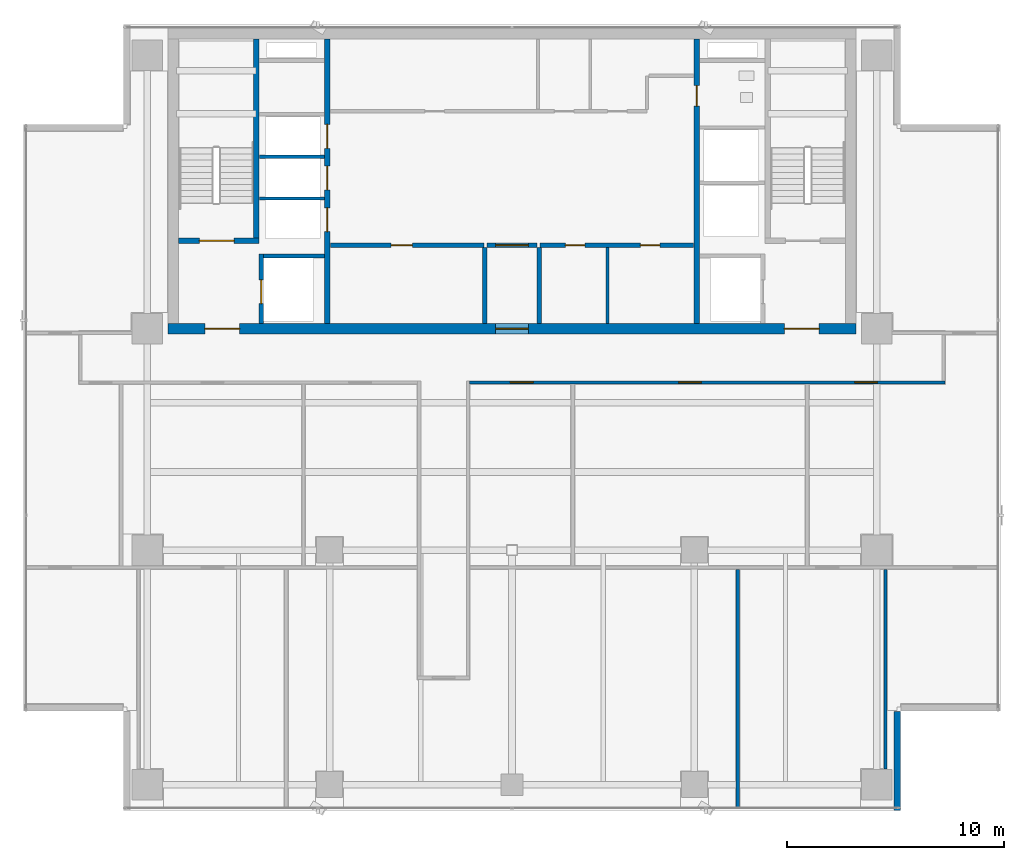
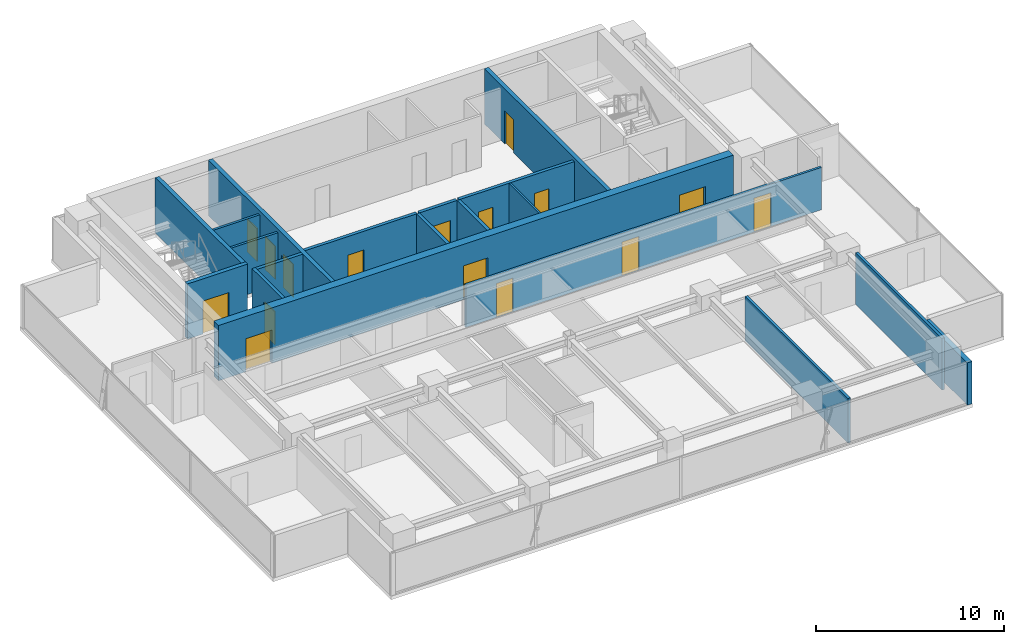
# One storey, part 20 of 26: 19 walls, 16 doors, 16 openings.
"""IFC4 building model written with IfcOpenShell, lengths in metres."""

from ifc_helpers import new_model, si_unit, direction, frame, frame_2d, origin, place, context, subcontext, project, spatial, rectangle, extrude, source, transform, mapped, material, layer, layer_set, type_object, element, fill, save


model = new_model("IFC4")

# Units and contexts
model_context = context("Model", 3, precision=1e-05, world=origin(), true_north=direction((0.0, 1.0)))
body_context = subcontext(model_context, "Body", "Model", "MODEL_VIEW")
ifc_project = project(units=[si_unit("LENGTHUNIT", "METRE"), si_unit("AREAUNIT", "SQUARE_METRE"), si_unit("VOLUMEUNIT", "CUBIC_METRE"), si_unit("PLANEANGLEUNIT", "RADIAN"), si_unit("MASSUNIT", "GRAM", prefix="KILO")], contexts=[model_context])

# Site, building, storey
site_placement = place(None, origin())
site = spatial("IfcSite", under=ifc_project, at=site_placement, CompositionType="ELEMENT")
building_placement = place(site_placement, origin())
building = spatial("IfcBuilding", under=site, at=building_placement, Name="Sumidabori Civic Tower", CompositionType="ELEMENT")
storey_placement = place(building_placement, frame((0.0, 0.0, 250.39990234375)))
storey = spatial("IfcBuildingStorey", under=building, at=storey_placement, Name="L65", CompositionType="ELEMENT", Elevation=250.39990234375)

# Wall
ifc_material_1 = material(Name="Concrete C50/60", Category="concrete")
ifc_layer_1 = layer(ifc_material_1, 0.199951171875, Name="Concrete C50/60")
ifc_layer_set_1 = layer_set([ifc_layer_1], Name="Concrete C50/60")
wall_type_1 = type_object("IfcWallType", Name="WL-SHAFT-200", PredefinedType="SHEAR", material=ifc_layer_set_1)
shared_shape_1 = source(origin(), body_context, "Body", "SweptSolid", [
    extrude(rectangle(XDim=2.824951171875, YDim=0.199951171875, at=frame_2d((1.41259765625, 0.0))), origin(), (0.0, 0.0, 1.0), 3.60009765625),
])
wall_1_placement = place(storey_placement, frame((-11.449951171875, 13.550048828125, 0.0), z_axis=(0.0, 0.0, 1.0), x_axis=(1.0, 0.0, 0.0)))
element("IfcWall", 1, at=wall_1_placement, inside=storey, type_object=wall_type_1, Name="Core Shear Wall L65 EL1-N", PredefinedType="SHEAR", context=body_context, shape_type="MappedRepresentation", body=[
    mapped(shared_shape_1, transform((0.0, 0.0, 0.0), x_axis=(1.0, 0.0, 0.0), y_axis=(0.0, 1.0, 0.0), z_axis=(0.0, 0.0, 1.0), scale=1.0)),
])

# Wall, openings, doors
ifc_layer_2 = layer(ifc_material_1, 0.5, Name="Concrete C50/60")
ifc_layer_set_2 = layer_set([ifc_layer_2], Name="Concrete C50/60")
wall_type_2 = type_object("IfcWallType", Name="WL-CORE-500", PredefinedType="SHEAR", material=ifc_layer_set_2)
shared_shape_2 = source(origin(), body_context, "Body", "SweptSolid", [
    extrude(rectangle(XDim=31.7001953125, YDim=0.5, at=frame_2d((15.85009765625, 0.0))), origin(), (0.0, 0.0, 1.0), 3.60009765625),
])
wall_2_placement = place(storey_placement, frame((-15.85009765625, 10.199951171875, 0.0), z_axis=(0.0, 0.0, 1.0), x_axis=(1.0, 0.0, 0.0)))
wall_2 = element("IfcWall", 2, at=wall_2_placement, inside=storey, type_object=wall_type_2, Name="Core Shear Wall L65 S", PredefinedType="SHEAR", context=body_context, shape_type="MappedRepresentation", body=[
    mapped(shared_shape_2, transform((0.0, 0.0, 0.0), x_axis=(1.0, 0.0, 0.0), y_axis=(0.0, 1.0, 0.0), z_axis=(0.0, 0.0, 1.0), scale=1.0)),
])
opening_1_placement = place(wall_2_placement, frame((1.699951171875, 0.0, 0.0)))
opening_1 = element("IfcOpeningElement", 3, at=opening_1_placement, cuts=wall_2, Name="Opening DR-FD4", PredefinedType="OPENING", context=body_context, shape_type="SweptSolid", body=[
    extrude(rectangle(XDim=1.60009765625, YDim=2.14990234375, at=frame_2d((0.800048828125, 1.074951171875))), frame((0.0, 0.261962890625, 0.0), z_axis=(0.0, -1.0, 0.0), x_axis=(1.0, 0.0, 0.0)), (0.0, 0.0, 1.0), 0.52392578125),
])
opening_2_placement = place(wall_2_placement, frame((28.39990234375, 0.0, 0.0)))
opening_2 = element("IfcOpeningElement", 4, at=opening_2_placement, cuts=wall_2, Name="Opening DR-FD4", PredefinedType="OPENING", context=body_context, shape_type="SweptSolid", body=[
    extrude(rectangle(XDim=1.60009765625, YDim=2.14990234375, at=frame_2d((0.800048828125, 1.074951171875))), frame((0.0, 0.261962890625, 0.0), z_axis=(0.0, -1.0, 0.0), x_axis=(1.0, 0.0, 0.0)), (0.0, 0.0, 1.0), 0.52392578125),
])
opening_3_placement = place(wall_2_placement, frame((15.10009765625, 0.0, 0.0)))
opening_3 = element("IfcOpeningElement", 5, at=opening_3_placement, cuts=wall_2, Name="Opening DR-FD3", PredefinedType="OPENING", context=body_context, shape_type="SweptSolid", body=[
    extrude(rectangle(XDim=1.5, YDim=2.199951171875, at=frame_2d((0.75, 1.10009765625))), frame((0.0, 0.261962890625, 0.0), z_axis=(0.0, -1.0, 0.0), x_axis=(1.0, 0.0, 0.0)), (0.0, 0.0, 1.0), 0.52392578125),
])
ifc_material_2 = material(Name="Steel SN490", Category="steel")
door_type_1 = type_object("IfcDoorType", Name="DR-FD4", OperationType="DOUBLE_DOOR_SINGLE_SWING", PredefinedType="DOOR", material=ifc_material_2)
shared_shape_3 = source(origin(), body_context, "Body", "SweptSolid", [
    extrude(rectangle(XDim=1.60009765625, YDim=2.14990234375, at=frame_2d((0.800048828125, 1.074951171875))), frame((0.0, 0.02490234375, 0.0), z_axis=(0.0, -1.0, 0.0), x_axis=(1.0, 0.0, 0.0)), (0.0, 0.0, 1.0), 0.050048828125),
])
door_1_placement = place(opening_1_placement, origin())
door_1 = element("IfcDoor", 6, at=door_1_placement, inside=storey, type_object=door_type_1, Name="Door DR:L65:ELOB-W", OperationType="DOUBLE_DOOR_SINGLE_SWING", OverallHeight=2.14990234375, OverallWidth=1.60009765625, PredefinedType="DOOR", context=body_context, shape_type="MappedRepresentation", body=[
    mapped(shared_shape_3, transform((0.0, 0.0, 0.0), x_axis=(1.0, 0.0, 0.0), y_axis=(0.0, 1.0, 0.0), z_axis=(0.0, 0.0, 1.0), scale=1.0)),
])
fill(opening_1, door_1)
door_2_placement = place(opening_2_placement, origin())
door_2 = element("IfcDoor", 7, at=door_2_placement, inside=storey, type_object=door_type_1, Name="Door DR:L65:ELOB-E", OperationType="DOUBLE_DOOR_SINGLE_SWING", OverallHeight=2.14990234375, OverallWidth=1.60009765625, PredefinedType="DOOR", context=body_context, shape_type="MappedRepresentation", body=[
    mapped(shared_shape_3, transform((0.0, 0.0, 0.0), x_axis=(1.0, 0.0, 0.0), y_axis=(0.0, 1.0, 0.0), z_axis=(0.0, 0.0, 1.0), scale=1.0)),
])
fill(opening_2, door_2)
door_type_2 = type_object("IfcDoorType", Name="DR-FD-DBL", OperationType="DOUBLE_DOOR_SINGLE_SWING", PredefinedType="DOOR", material=ifc_material_2)
shared_shape_4 = source(origin(), body_context, "Body", "SweptSolid", [
    extrude(rectangle(XDim=1.5, YDim=2.199951171875, at=frame_2d((0.75, 1.10009765625))), frame((0.0, 0.02490234375, 0.0), z_axis=(0.0, -1.0, 0.0), x_axis=(1.0, 0.0, 0.0)), (0.0, 0.0, 1.0), 0.050048828125),
])
door_3_placement = place(opening_3_placement, origin())
door_3 = element("IfcDoor", 8, at=door_3_placement, inside=storey, type_object=door_type_2, Name="Door DR:L65:THROAT-OUT", OperationType="DOUBLE_DOOR_SINGLE_SWING", OverallHeight=2.199951171875, OverallWidth=1.5, PredefinedType="DOOR", context=body_context, shape_type="MappedRepresentation", body=[
    mapped(shared_shape_4, transform((0.0, 0.0, 0.0), x_axis=(1.0, 0.0, 0.0), y_axis=(0.0, 1.0, 0.0), z_axis=(0.0, 0.0, 1.0), scale=1.0)),
])
fill(opening_3, door_3)

ifc_layer_3 = layer(ifc_material_1, 0.25, Name="Concrete C50/60")
ifc_layer_set_3 = layer_set([ifc_layer_3], Name="Concrete C50/60")
wall_type_3 = type_object("IfcWallType", Name="WL-SHAFT-250", PredefinedType="SHEAR", material=ifc_layer_set_3)
shared_shape_5 = source(origin(), body_context, "Body", "SweptSolid", [
    extrude(rectangle(XDim=13.10009765625, YDim=0.25, at=frame_2d((6.550048828125, 0.0))), origin(), (0.0, 0.0, 1.0), 3.60009765625),
])
wall_3_placement = place(storey_placement, frame((-8.5, 10.449951171875, 0.0), z_axis=(0.0, 0.0, 1.0), x_axis=(0.0, 1.0, 0.0)))
wall_3 = element("IfcWall", 9, at=wall_3_placement, inside=storey, type_object=wall_type_3, Name="Core Shear Wall L65 WEB-W", PredefinedType="SHEAR", context=body_context, shape_type="MappedRepresentation", body=[
    mapped(shared_shape_5, transform((0.0, 0.0, 0.0), x_axis=(1.0, 0.0, 0.0), y_axis=(0.0, 1.0, 0.0), z_axis=(0.0, 0.0, 1.0), scale=1.0)),
])
opening_4_placement = place(wall_3_placement, frame((4.219970703125, 0.0, 0.0)))
opening_4 = element("IfcOpeningElement", 10, at=opening_4_placement, cuts=wall_3, Name="Opening LD-1", PredefinedType="OPENING", context=body_context, shape_type="SweptSolid", body=[
    extrude(rectangle(XDim=1.10009765625, YDim=2.14990234375, at=frame_2d((0.550048828125, 1.074951171875))), frame((0.0, 0.136962890625, 0.0), z_axis=(0.0, -1.0, 0.0), x_axis=(1.0, 0.0, 0.0)), (0.0, 0.0, 1.0), 0.27392578125),
])
opening_5_placement = place(wall_3_placement, frame((6.139892578125, 0.0, 0.0)))
opening_5 = element("IfcOpeningElement", 11, at=opening_5_placement, cuts=wall_3, Name="Opening LD-1", PredefinedType="OPENING", context=body_context, shape_type="SweptSolid", body=[
    extrude(rectangle(XDim=1.10009765625, YDim=2.14990234375, at=frame_2d((0.550048828125, 1.074951171875))), frame((0.0, 0.136962890625, 0.0), z_axis=(0.0, -1.0, 0.0), x_axis=(1.0, 0.0, 0.0)), (0.0, 0.0, 1.0), 0.27392578125),
])
opening_6_placement = place(wall_3_placement, frame((8.06005859375, 0.0, 0.0)))
opening_6 = element("IfcOpeningElement", 12, at=opening_6_placement, cuts=wall_3, Name="Opening LD-1", PredefinedType="OPENING", context=body_context, shape_type="SweptSolid", body=[
    extrude(rectangle(XDim=1.10009765625, YDim=2.14990234375, at=frame_2d((0.550048828125, 1.074951171875))), frame((0.0, 0.136962890625, 0.0), z_axis=(0.0, -1.0, 0.0), x_axis=(1.0, 0.0, 0.0)), (0.0, 0.0, 1.0), 0.27392578125),
])
ifc_material_3 = material(Name="Stainless Steel Hairline Finish", Category="steel")
door_type_3 = type_object("IfcDoorType", Name="DR-LD1", OperationType="DOUBLE_DOOR_SLIDING", PredefinedType="DOOR", material=ifc_material_3)
shared_shape_6 = source(origin(), body_context, "Body", "SweptSolid", [
    extrude(rectangle(XDim=1.10009765625, YDim=2.14990234375, at=frame_2d((0.550048828125, 1.074951171875))), frame((0.0, 0.02490234375, 0.0), z_axis=(0.0, -1.0, 0.0), x_axis=(1.0, 0.0, 0.0)), (0.0, 0.0, 1.0), 0.050048828125),
])
door_4_placement = place(opening_4_placement, origin())
door_4 = element("IfcDoor", 13, at=door_4_placement, inside=storey, type_object=door_type_3, Name="Door DR:L65:LD-PLH1", OperationType="DOUBLE_DOOR_SLIDING", OverallHeight=2.14990234375, OverallWidth=1.10009765625, PredefinedType="DOOR", context=body_context, shape_type="MappedRepresentation", body=[
    mapped(shared_shape_6, transform((0.0, 0.0, 0.0), x_axis=(1.0, 0.0, 0.0), y_axis=(0.0, 1.0, 0.0), z_axis=(0.0, 0.0, 1.0), scale=1.0)),
])
fill(opening_4, door_4)
door_5_placement = place(opening_5_placement, origin())
door_5 = element("IfcDoor", 14, at=door_5_placement, inside=storey, type_object=door_type_3, Name="Door DR:L65:LD-PLH2", OperationType="DOUBLE_DOOR_SLIDING", OverallHeight=2.14990234375, OverallWidth=1.10009765625, PredefinedType="DOOR", context=body_context, shape_type="MappedRepresentation", body=[
    mapped(shared_shape_6, transform((0.0, 0.0, 0.0), x_axis=(1.0, 0.0, 0.0), y_axis=(0.0, 1.0, 0.0), z_axis=(0.0, 0.0, 1.0), scale=1.0)),
])
fill(opening_5, door_5)
door_6_placement = place(opening_6_placement, origin())
door_6 = element("IfcDoor", 15, at=door_6_placement, inside=storey, type_object=door_type_3, Name="Door DR:L65:LD-PLH3", OperationType="DOUBLE_DOOR_SLIDING", OverallHeight=2.14990234375, OverallWidth=1.10009765625, PredefinedType="DOOR", context=body_context, shape_type="MappedRepresentation", body=[
    mapped(shared_shape_6, transform((0.0, 0.0, 0.0), x_axis=(1.0, 0.0, 0.0), y_axis=(0.0, 1.0, 0.0), z_axis=(0.0, 0.0, 1.0), scale=1.0)),
])
fill(opening_6, door_6)

# Wall, opening, door
wall_4_placement = place(storey_placement, frame((8.5, 10.449951171875, 0.0), z_axis=(0.0, 0.0, 1.0), x_axis=(0.0, 1.0, 0.0)))
wall_4 = element("IfcWall", 16, at=wall_4_placement, inside=storey, type_object=wall_type_3, Name="Core Shear Wall L65 WEB-E", PredefinedType="SHEAR", context=body_context, shape_type="MappedRepresentation", body=[
    mapped(shared_shape_5, transform((0.0, 0.0, 0.0), x_axis=(1.0, 0.0, 0.0), y_axis=(0.0, 1.0, 0.0), z_axis=(0.0, 0.0, 1.0), scale=1.0)),
])
opening_7_placement = place(wall_4_placement, frame((10.0, 0.0, 0.0)))
opening_7 = element("IfcOpeningElement", 17, at=opening_7_placement, cuts=wall_4, Name="Opening DR-2", PredefinedType="OPENING", context=body_context, shape_type="SweptSolid", body=[
    extrude(rectangle(XDim=0.949951171875, YDim=2.14990234375, at=frame_2d((0.47509765625, 1.074951171875))), frame((0.0, 0.136962890625, 0.0), z_axis=(0.0, -1.0, 0.0), x_axis=(1.0, 0.0, 0.0)), (0.0, 0.0, 1.0), 0.27392578125),
])
ifc_material_4 = material(Name="Japanese Hinoki Timber", Category="wood")
door_type_4 = type_object("IfcDoorType", Name="DR-INT-950", OperationType="NOTDEFINED", PredefinedType="DOOR", material=ifc_material_4)
shared_shape_7 = source(origin(), body_context, "Body", "SweptSolid", [
    extrude(rectangle(XDim=0.949951171875, YDim=2.14990234375, at=frame_2d((0.47509765625, 1.074951171875))), frame((0.0, 0.02490234375, 0.0), z_axis=(0.0, -1.0, 0.0), x_axis=(1.0, 0.0, 0.0)), (0.0, 0.0, 1.0), 0.050048828125),
])
door_7_placement = place(opening_7_placement, origin())
door_7 = element("IfcDoor", 18, at=door_7_placement, inside=storey, type_object=door_type_4, Name="Door DR:L65:WC-ACC", OperationType="SINGLE_SWING_RIGHT", OverallHeight=2.14990234375, OverallWidth=0.949951171875, PredefinedType="DOOR", context=body_context, shape_type="MappedRepresentation", body=[
    mapped(shared_shape_7, transform((0.0, 0.0, 0.0), x_axis=(1.0, 0.0, 0.0), y_axis=(0.0, 1.0, 0.0), z_axis=(0.0, 0.0, 1.0), scale=1.0)),
])
fill(opening_7, door_7)

shared_shape_8 = source(origin(), body_context, "Body", "SweptSolid", [
    extrude(rectangle(XDim=3.705078125, YDim=0.25, at=frame_2d((1.8525390625, 0.0))), origin(), (0.0, 0.0, 1.0), 3.60009765625),
])
wall_5_placement = place(storey_placement, frame((-15.35009765625, 14.25, 0.0), z_axis=(0.0, 0.0, 1.0), x_axis=(1.0, 0.0, 0.0)))
wall_5 = element("IfcWall", 19, at=wall_5_placement, inside=storey, type_object=wall_type_3, Name="Core Shear Wall L65 ST1-S", PredefinedType="SHEAR", context=body_context, shape_type="MappedRepresentation", body=[
    mapped(shared_shape_8, transform((0.0, 0.0, 0.0), x_axis=(1.0, 0.0, 0.0), y_axis=(0.0, 1.0, 0.0), z_axis=(0.0, 0.0, 1.0), scale=1.0)),
])
opening_8_placement = place(wall_5_placement, frame((0.949951171875, 0.0, 0.0)))
opening_8 = element("IfcOpeningElement", 20, at=opening_8_placement, cuts=wall_5, Name="Opening DR-FD4", PredefinedType="OPENING", context=body_context, shape_type="SweptSolid", body=[
    extrude(rectangle(XDim=1.60009765625, YDim=2.14990234375, at=frame_2d((0.800048828125, 1.074951171875))), frame((0.0, 0.136962890625, 0.0), z_axis=(0.0, -1.0, 0.0), x_axis=(1.0, 0.0, 0.0)), (0.0, 0.0, 1.0), 0.27392578125),
])
door_8_placement = place(opening_8_placement, origin())
door_8 = element("IfcDoor", 21, at=door_8_placement, inside=storey, type_object=door_type_1, Name="Door DR:L65:ST1", OperationType="DOUBLE_DOOR_SINGLE_SWING", OverallHeight=2.14990234375, OverallWidth=1.60009765625, PredefinedType="DOOR", context=body_context, shape_type="MappedRepresentation", body=[
    mapped(shared_shape_3, transform((0.0, 0.0, 0.0), x_axis=(1.0, 0.0, 0.0), y_axis=(0.0, 1.0, 0.0), z_axis=(0.0, 0.0, 1.0), scale=1.0)),
])
fill(opening_8, door_8)

# Wall
shared_shape_9 = source(origin(), body_context, "Body", "SweptSolid", [
    extrude(rectangle(XDim=9.175048828125, YDim=0.25, at=frame_2d((4.58740234375, 0.0))), origin(), (0.0, 0.0, 1.0), 3.60009765625),
])
wall_6_placement = place(storey_placement, frame((-11.77001953125, 14.375, 0.0), z_axis=(0.0, 0.0, 1.0), x_axis=(0.0, 1.0, 0.0)))
element("IfcWall", 22, at=wall_6_placement, inside=storey, type_object=wall_type_3, Name="Core Shear Wall L65 ST1-E", PredefinedType="SHEAR", context=body_context, shape_type="MappedRepresentation", body=[
    mapped(shared_shape_9, transform((0.0, 0.0, 0.0), x_axis=(1.0, 0.0, 0.0), y_axis=(0.0, 1.0, 0.0), z_axis=(0.0, 0.0, 1.0), scale=1.0)),
])

# Wall, opening, door
shared_shape_10 = source(origin(), body_context, "Body", "SweptSolid", [
    extrude(rectangle(XDim=3.199951171875, YDim=0.199951171875, at=frame_2d((1.60009765625, 0.0))), origin(), (0.0, 0.0, 1.0), 3.60009765625),
])
wall_7_placement = place(storey_placement, frame((-11.550048828125, 10.449951171875, 0.0), z_axis=(0.0, 0.0, 1.0), x_axis=(0.0, 1.0, 0.0)))
wall_7 = element("IfcWall", 23, at=wall_7_placement, inside=storey, type_object=wall_type_1, Name="Core Shear Wall L65 EL1-W", PredefinedType="SHEAR", context=body_context, shape_type="MappedRepresentation", body=[
    mapped(shared_shape_10, transform((0.0, 0.0, 0.0), x_axis=(1.0, 0.0, 0.0), y_axis=(0.0, 1.0, 0.0), z_axis=(0.0, 0.0, 1.0), scale=1.0)),
])
opening_9_placement = place(wall_7_placement, frame((0.89990234375, 0.0, 0.0)))
opening_9 = element("IfcOpeningElement", 24, at=opening_9_placement, cuts=wall_7, Name="Opening LD-2", PredefinedType="OPENING", context=body_context, shape_type="SweptSolid", body=[
    extrude(rectangle(XDim=1.10009765625, YDim=2.14990234375, at=frame_2d((0.550048828125, 1.074951171875))), frame((0.0, 0.11181640625, 0.0), z_axis=(0.0, -1.0, 0.0), x_axis=(1.0, 0.0, 0.0)), (0.0, 0.0, 1.0), 0.223876953125),
])
door_type_5 = type_object("IfcDoorType", Name="DR-LD2", OperationType="DOUBLE_DOOR_SLIDING", PredefinedType="DOOR", material=ifc_material_3)
door_9_placement = place(opening_9_placement, origin())
door_9 = element("IfcDoor", 25, at=door_9_placement, inside=storey, type_object=door_type_5, Name="Door DR:L65:LD-EL1", OperationType="DOUBLE_DOOR_SLIDING", OverallHeight=2.14990234375, OverallWidth=1.10009765625, PredefinedType="DOOR", context=body_context, shape_type="MappedRepresentation", body=[
    mapped(shared_shape_6, transform((0.0, 0.0, 0.0), x_axis=(1.0, 0.0, 0.0), y_axis=(0.0, 1.0, 0.0), z_axis=(0.0, 0.0, 1.0), scale=1.0)),
])
fill(opening_9, door_9)

# Walls
ifc_material_5 = material(Name="Precast concrete C40/50", Category="concrete")
ifc_layer_4 = layer(ifc_material_5, 0.300048828125, Name="Precast concrete C40/50")
ifc_layer_set_4 = layer_set([ifc_layer_4], Name="Precast concrete C40/50")
wall_type_4 = type_object("IfcWallType", Name="WL-EXT-POD300", PredefinedType="STANDARD", material=ifc_layer_set_4)
shared_shape_11 = source(origin(), body_context, "Body", "SweptSolid", [
    extrude(rectangle(XDim=4.56005859375, YDim=0.300048828125, at=frame_2d((2.280029296875, 0.0))), origin(), (0.0, 0.0, 1.0), 2.75),
])
wall_8_placement = place(storey_placement, frame((17.75, -11.97998046875, 0.0), z_axis=(0.0, 0.0, 1.0), x_axis=(0.0, 1.0, 0.0)))
element("IfcWall", 26, at=wall_8_placement, inside=storey, type_object=wall_type_4, Name="Notched Corner Spandrel Band L65-02", PredefinedType="STANDARD", context=body_context, shape_type="MappedRepresentation", body=[
    mapped(shared_shape_11, transform((0.0, 0.0, 0.0), x_axis=(1.0, 0.0, 0.0), y_axis=(0.0, 1.0, 0.0), z_axis=(0.0, 0.0, 1.0), scale=1.0)),
])
ifc_material_6 = material(Name="Gypsum Plasterboard Acoustic Partition")
ifc_layer_5 = layer(ifc_material_6, 0.14990234375, Name="Gypsum Plasterboard Acoustic Partition")
ifc_layer_set_5 = layer_set([ifc_layer_5], Name="Gypsum Plasterboard Acoustic Partition")
wall_type_5 = type_object("IfcWallType", Name="WL-PART-150", PredefinedType="PARTITIONING", material=ifc_layer_set_5)
shared_shape_12 = source(origin(), body_context, "Body", "SweptSolid", [
    extrude(rectangle(XDim=3.010009765625, YDim=0.14990234375, at=frame_2d((1.5048828125, 0.0))), origin(), (0.0, 0.0, 1.0), 3.3701171875),
])
for number, where, z_axis, x_axis, name in (
    (27, (-11.639892578125, 16.199951171875, 0.0), (0.0, 0.0, 1.0), (1.0, 0.0, 0.0), "Interior Partition WL:L65:DIV-PLH1"),
    (28, (-11.639892578125, 18.1201171875, 0.0), (0.0, 0.0, 1.0), (1.0, 0.0, 0.0), "Interior Partition WL:L65:DIV-PLH2"),
):
    element("IfcWall", number, at=place(storey_placement, frame(where, z_axis=z_axis, x_axis=x_axis)), inside=storey, type_object=wall_type_5, Name=name, PredefinedType="PARTITIONING", context=body_context, shape_type="MappedRepresentation", body=[
        mapped(shared_shape_12, transform((0.0, 0.0, 0.0), x_axis=(1.0, 0.0, 0.0), y_axis=(0.0, 1.0, 0.0), z_axis=(0.0, 0.0, 1.0), scale=1.0)),
    ])

# Wall, opening, door
ifc_material_7 = material(Name="Gypsum Plasterboard Fire Partition")
ifc_layer_6 = layer(ifc_material_7, 0.199951171875, Name="Gypsum Plasterboard Fire Partition")
ifc_layer_set_6 = layer_set([ifc_layer_6], Name="Gypsum Plasterboard Fire Partition")
wall_type_6 = type_object("IfcWallType", Name="WL-PART-FIRE", PredefinedType="PARTITIONING", material=ifc_layer_set_6)
shared_shape_13 = source(origin(), body_context, "Body", "SweptSolid", [
    extrude(rectangle(XDim=7.070068359375, YDim=0.199951171875, at=frame_2d((3.53515625, 0.0))), origin(), (0.0, 0.0, 1.0), 3.3701171875),
])
wall_9_placement = place(storey_placement, frame((-8.3701171875, 14.050048828125, 0.0), z_axis=(0.0, 0.0, 1.0), x_axis=(1.0, 0.0, 0.0)))
wall_9 = element("IfcWall", 29, at=wall_9_placement, inside=storey, type_object=wall_type_6, Name="Interior Partition WL:L65:CBAND-SW", PredefinedType="PARTITIONING", context=body_context, shape_type="MappedRepresentation", body=[
    mapped(shared_shape_13, transform((0.0, 0.0, 0.0), x_axis=(1.0, 0.0, 0.0), y_axis=(0.0, 1.0, 0.0), z_axis=(0.0, 0.0, 1.0), scale=1.0)),
])
opening_10_placement = place(wall_9_placement, frame((2.800048828125, 0.0, 0.0)))
opening_10 = element("IfcOpeningElement", 30, at=opening_10_placement, cuts=wall_9, Name="Opening DR-3", PredefinedType="OPENING", context=body_context, shape_type="SweptSolid", body=[
    extrude(rectangle(XDim=0.97998046875, YDim=2.14990234375, at=frame_2d((0.489990234375, 1.074951171875))), frame((0.0, 0.11181640625, 0.0), z_axis=(0.0, -1.0, 0.0), x_axis=(1.0, 0.0, 0.0)), (0.0, 0.0, 1.0), 0.223876953125),
])
door_type_6 = type_object("IfcDoorType", Name="DR-INT-980", OperationType="NOTDEFINED", PredefinedType="DOOR", material=ifc_material_4)
shared_shape_14 = source(origin(), body_context, "Body", "SweptSolid", [
    extrude(rectangle(XDim=0.97998046875, YDim=2.14990234375, at=frame_2d((0.489990234375, 1.074951171875))), frame((0.0, 0.02490234375, 0.0), z_axis=(0.0, -1.0, 0.0), x_axis=(1.0, 0.0, 0.0)), (0.0, 0.0, 1.0), 0.050048828125),
])
door_10_placement = place(opening_10_placement, origin())
door_10 = element("IfcDoor", 31, at=door_10_placement, inside=storey, type_object=door_type_6, Name="Door DR:L65:REC-B1", OperationType="SINGLE_SWING_LEFT", OverallHeight=2.14990234375, OverallWidth=0.97998046875, PredefinedType="DOOR", context=body_context, shape_type="MappedRepresentation", body=[
    mapped(shared_shape_14, transform((0.0, 0.0, 0.0), x_axis=(1.0, 0.0, 0.0), y_axis=(0.0, 1.0, 0.0), z_axis=(0.0, 0.0, 1.0), scale=1.0)),
])
fill(opening_10, door_10)

# Wall, openings, doors
wall_10_placement = place(storey_placement, frame((1.300048828125, 14.050048828125, 0.0), z_axis=(0.0, 0.0, 1.0), x_axis=(1.0, 0.0, 0.0)))
wall_10 = element("IfcWall", 32, at=wall_10_placement, inside=storey, type_object=wall_type_6, Name="Interior Partition WL:L65:CBAND-SE", PredefinedType="PARTITIONING", context=body_context, shape_type="MappedRepresentation", body=[
    mapped(shared_shape_13, transform((0.0, 0.0, 0.0), x_axis=(1.0, 0.0, 0.0), y_axis=(0.0, 1.0, 0.0), z_axis=(0.0, 0.0, 1.0), scale=1.0)),
])
opening_11_placement = place(wall_10_placement, frame((1.159912109375, 0.0, 0.0)))
opening_11 = element("IfcOpeningElement", 33, at=opening_11_placement, cuts=wall_10, Name="Opening DR-1", PredefinedType="OPENING", context=body_context, shape_type="SweptSolid", body=[
    extrude(rectangle(XDim=0.89990234375, YDim=2.14990234375, at=frame_2d((0.449951171875, 1.074951171875))), frame((0.0, 0.11181640625, 0.0), z_axis=(0.0, -1.0, 0.0), x_axis=(1.0, 0.0, 0.0)), (0.0, 0.0, 1.0), 0.223876953125),
])
opening_12_placement = place(wall_10_placement, frame((4.610107421875, 0.0, 0.0)))
opening_12 = element("IfcOpeningElement", 34, at=opening_12_placement, cuts=wall_10, Name="Opening DR-1", PredefinedType="OPENING", context=body_context, shape_type="SweptSolid", body=[
    extrude(rectangle(XDim=0.89990234375, YDim=2.14990234375, at=frame_2d((0.449951171875, 1.074951171875))), frame((0.0, 0.11181640625, 0.0), z_axis=(0.0, -1.0, 0.0), x_axis=(1.0, 0.0, 0.0)), (0.0, 0.0, 1.0), 0.223876953125),
])
door_type_7 = type_object("IfcDoorType", Name="DR-INT-900", OperationType="NOTDEFINED", PredefinedType="DOOR", material=ifc_material_4)
shared_shape_15 = source(origin(), body_context, "Body", "SweptSolid", [
    extrude(rectangle(XDim=0.89990234375, YDim=2.14990234375, at=frame_2d((0.449951171875, 1.074951171875))), frame((0.0, 0.02490234375, 0.0), z_axis=(0.0, -1.0, 0.0), x_axis=(1.0, 0.0, 0.0)), (0.0, 0.0, 1.0), 0.050048828125),
])
door_11_placement = place(opening_11_placement, origin())
door_11 = element("IfcDoor", 35, at=door_11_placement, inside=storey, type_object=door_type_7, Name="Door DR:L65:REC-B2A", OperationType="SINGLE_SWING_LEFT", OverallHeight=2.14990234375, OverallWidth=0.89990234375, PredefinedType="DOOR", context=body_context, shape_type="MappedRepresentation", body=[
    mapped(shared_shape_15, transform((0.0, 0.0, 0.0), x_axis=(1.0, 0.0, 0.0), y_axis=(0.0, 1.0, 0.0), z_axis=(0.0, 0.0, 1.0), scale=1.0)),
])
fill(opening_11, door_11)
door_12_placement = place(opening_12_placement, origin())
door_12 = element("IfcDoor", 36, at=door_12_placement, inside=storey, type_object=door_type_7, Name="Door DR:L65:REC-B2B", OperationType="SINGLE_SWING_RIGHT", OverallHeight=2.14990234375, OverallWidth=0.89990234375, PredefinedType="DOOR", context=body_context, shape_type="MappedRepresentation", body=[
    mapped(shared_shape_15, transform((0.0, 0.0, 0.0), x_axis=(1.0, 0.0, 0.0), y_axis=(0.0, 1.0, 0.0), z_axis=(0.0, 0.0, 1.0), scale=1.0)),
])
fill(opening_12, door_12)

# Walls
shared_shape_16 = source(origin(), body_context, "Body", "SweptSolid", [
    extrude(rectangle(XDim=3.489990234375, YDim=0.199951171875, at=frame_2d((1.7451171875, 0.0))), origin(), (0.0, 0.0, 1.0), 3.3701171875),
])
for number, where, z_axis, x_axis, name in (
    (37, (-1.25, 10.449951171875, 0.0), (0.0, 0.0, 1.0), (0.0, 1.0, 0.0), "Interior Partition WL:L65:THROAT-W"),
    (38, (1.25, 10.449951171875, 0.0), (0.0, 0.0, 1.0), (0.0, 1.0, 0.0), "Interior Partition WL:L65:THROAT-E"),
):
    element("IfcWall", number, at=place(storey_placement, frame(where, z_axis=z_axis, x_axis=x_axis)), inside=storey, type_object=wall_type_6, Name=name, PredefinedType="PARTITIONING", context=body_context, shape_type="MappedRepresentation", body=[
        mapped(shared_shape_16, transform((0.0, 0.0, 0.0), x_axis=(1.0, 0.0, 0.0), y_axis=(0.0, 1.0, 0.0), z_axis=(0.0, 0.0, 1.0), scale=1.0)),
    ])

# Wall, opening, door
shared_shape_17 = source(origin(), body_context, "Body", "SweptSolid", [
    extrude(rectangle(XDim=2.2998046875, YDim=0.199951171875, at=frame_2d((1.14990234375, 0.0))), origin(), (0.0, 0.0, 1.0), 3.3701171875),
])
wall_11_placement = place(storey_placement, frame((-1.14990234375, 14.050048828125, 0.0), z_axis=(0.0, 0.0, 1.0), x_axis=(1.0, 0.0, 0.0)))
wall_11 = element("IfcWall", 39, at=wall_11_placement, inside=storey, type_object=wall_type_6, Name="Interior Partition WL:L65:THROAT-N", PredefinedType="PARTITIONING", context=body_context, shape_type="MappedRepresentation", body=[
    mapped(shared_shape_17, transform((0.0, 0.0, 0.0), x_axis=(1.0, 0.0, 0.0), y_axis=(0.0, 1.0, 0.0), z_axis=(0.0, 0.0, 1.0), scale=1.0)),
])
opening_13_placement = place(wall_11_placement, frame((0.39990234375, 0.0, 0.0)))
opening_13 = element("IfcOpeningElement", 40, at=opening_13_placement, cuts=wall_11, Name="Opening DR-FD3", PredefinedType="OPENING", context=body_context, shape_type="SweptSolid", body=[
    extrude(rectangle(XDim=1.5, YDim=2.199951171875, at=frame_2d((0.75, 1.10009765625))), frame((0.0, 0.11181640625, 0.0), z_axis=(0.0, -1.0, 0.0), x_axis=(1.0, 0.0, 0.0)), (0.0, 0.0, 1.0), 0.223876953125),
])
door_13_placement = place(opening_13_placement, origin())
door_13 = element("IfcDoor", 41, at=door_13_placement, inside=storey, type_object=door_type_2, Name="Door DR:L65:THROAT-IN", OperationType="DOUBLE_DOOR_SINGLE_SWING", OverallHeight=2.199951171875, OverallWidth=1.5, PredefinedType="DOOR", context=body_context, shape_type="MappedRepresentation", body=[
    mapped(shared_shape_4, transform((0.0, 0.0, 0.0), x_axis=(1.0, 0.0, 0.0), y_axis=(0.0, 1.0, 0.0), z_axis=(0.0, 0.0, 1.0), scale=1.0)),
])
fill(opening_13, door_13)

# Wall
ifc_layer_7 = layer(ifc_material_6, 0.1201171875, Name="Gypsum Plasterboard Acoustic Partition")
ifc_layer_set_7 = layer_set([ifc_layer_7], Name="Gypsum Plasterboard Acoustic Partition")
wall_type_7 = type_object("IfcWallType", Name="WL-PART-120", PredefinedType="PARTITIONING", material=ifc_layer_set_7)
shared_shape_18 = source(origin(), body_context, "Body", "SweptSolid", [
    extrude(rectangle(XDim=3.489990234375, YDim=0.1201171875, at=frame_2d((1.7451171875, 0.0))), origin(), (0.0, 0.0, 1.0), 3.3701171875),
])
wall_12_placement = place(storey_placement, frame((4.39990234375, 10.449951171875, 0.0), z_axis=(0.0, 0.0, 1.0), x_axis=(0.0, 1.0, 0.0)))
element("IfcWall", 42, at=wall_12_placement, inside=storey, type_object=wall_type_7, Name="Interior Partition WL:L65:REC-B2-SP", PredefinedType="PARTITIONING", context=body_context, shape_type="MappedRepresentation", body=[
    mapped(shared_shape_18, transform((0.0, 0.0, 0.0), x_axis=(1.0, 0.0, 0.0), y_axis=(0.0, 1.0, 0.0), z_axis=(0.0, 0.0, 1.0), scale=1.0)),
])

# Wall, openings, doors
shared_shape_19 = source(origin(), body_context, "Body", "SweptSolid", [
    extrude(rectangle(XDim=21.89990234375, YDim=0.14990234375, at=frame_2d((10.949951171875, 0.0))), origin(), (0.0, 0.0, 1.0), 2.755126953125),
])
wall_13_placement = place(storey_placement, frame((-1.949951171875, 7.72509765625, 0.0), z_axis=(0.0, 0.0, 1.0), x_axis=(1.0, 0.0, 0.0)))
wall_13 = element("IfcWall", 43, at=wall_13_placement, inside=storey, type_object=wall_type_5, Name="Interior Partition WL:L65:CORR-SE", PredefinedType="PARTITIONING", context=body_context, shape_type="MappedRepresentation", body=[
    mapped(shared_shape_19, transform((0.0, 0.0, 0.0), x_axis=(1.0, 0.0, 0.0), y_axis=(0.0, 1.0, 0.0), z_axis=(0.0, 0.0, 1.0), scale=1.0)),
])
opening_14_placement = place(wall_13_placement, frame((17.742431640625, 0.0, 0.0)))
opening_14 = element("IfcOpeningElement", 44, at=opening_14_placement, cuts=wall_13, Name="Opening DR-4", PredefinedType="OPENING", context=body_context, shape_type="SweptSolid", body=[
    extrude(rectangle(XDim=1.0400390625, YDim=2.199951171875, at=frame_2d((0.52001953125, 1.10009765625))), frame((0.0, 0.0869140625, 0.0), z_axis=(0.0, -1.0, 0.0), x_axis=(1.0, 0.0, 0.0)), (0.0, 0.0, 1.0), 0.173828125),
])
opening_15_placement = place(wall_13_placement, frame((1.87744140625, 0.0, 0.0)))
opening_15 = element("IfcOpeningElement", 45, at=opening_15_placement, cuts=wall_13, Name="Opening DR-4", PredefinedType="OPENING", context=body_context, shape_type="SweptSolid", body=[
    extrude(rectangle(XDim=1.0400390625, YDim=2.199951171875, at=frame_2d((0.52001953125, 1.10009765625))), frame((0.0, 0.0869140625, 0.0), z_axis=(0.0, -1.0, 0.0), x_axis=(1.0, 0.0, 0.0)), (0.0, 0.0, 1.0), 0.173828125),
])
opening_16_placement = place(wall_13_placement, frame((9.6298828125, 0.0, 0.0)))
opening_16 = element("IfcOpeningElement", 46, at=opening_16_placement, cuts=wall_13, Name="Opening DR-4", PredefinedType="OPENING", context=body_context, shape_type="SweptSolid", body=[
    extrude(rectangle(XDim=1.0400390625, YDim=2.199951171875, at=frame_2d((0.52001953125, 1.10009765625))), frame((0.0, 0.0869140625, 0.0), z_axis=(0.0, -1.0, 0.0), x_axis=(1.0, 0.0, 0.0)), (0.0, 0.0, 1.0), 0.173828125),
])
door_type_8 = type_object("IfcDoorType", Name="DR-INT-1040", OperationType="NOTDEFINED", PredefinedType="DOOR", material=ifc_material_4)
shared_shape_20 = source(origin(), body_context, "Body", "SweptSolid", [
    extrude(rectangle(XDim=1.0400390625, YDim=2.199951171875, at=frame_2d((0.52001953125, 1.10009765625))), frame((0.0, 0.02490234375, 0.0), z_axis=(0.0, -1.0, 0.0), x_axis=(1.0, 0.0, 0.0)), (0.0, 0.0, 1.0), 0.050048828125),
])
door_14_placement = place(opening_14_placement, origin())
door_14 = element("IfcDoor", 47, at=door_14_placement, inside=storey, type_object=door_type_8, Name="Door DR:L65:D02", OperationType="SINGLE_SWING_RIGHT", OverallHeight=2.199951171875, OverallWidth=1.0400390625, PredefinedType="DOOR", context=body_context, shape_type="MappedRepresentation", body=[
    mapped(shared_shape_20, transform((0.0, 0.0, 0.0), x_axis=(1.0, 0.0, 0.0), y_axis=(0.0, 1.0, 0.0), z_axis=(0.0, 0.0, 1.0), scale=1.0)),
])
fill(opening_14, door_14)
door_15_placement = place(opening_15_placement, origin())
door_15 = element("IfcDoor", 48, at=door_15_placement, inside=storey, type_object=door_type_8, Name="Door DR:L65:D05", OperationType="SINGLE_SWING_LEFT", OverallHeight=2.199951171875, OverallWidth=1.0400390625, PredefinedType="DOOR", context=body_context, shape_type="MappedRepresentation", body=[
    mapped(shared_shape_20, transform((0.0, 0.0, 0.0), x_axis=(1.0, 0.0, 0.0), y_axis=(0.0, 1.0, 0.0), z_axis=(0.0, 0.0, 1.0), scale=1.0)),
])
fill(opening_15, door_15)
door_16_placement = place(opening_16_placement, origin())
door_16 = element("IfcDoor", 49, at=door_16_placement, inside=storey, type_object=door_type_8, Name="Door DR:L65:D06", OperationType="SINGLE_SWING_RIGHT", OverallHeight=2.199951171875, OverallWidth=1.0400390625, PredefinedType="DOOR", context=body_context, shape_type="MappedRepresentation", body=[
    mapped(shared_shape_20, transform((0.0, 0.0, 0.0), x_axis=(1.0, 0.0, 0.0), y_axis=(0.0, 1.0, 0.0), z_axis=(0.0, 0.0, 1.0), scale=1.0)),
])
fill(opening_16, door_16)

# Walls
shared_shape_21 = source(origin(), body_context, "Body", "SweptSolid", [
    extrude(rectangle(XDim=9.210205078125, YDim=0.14990234375, at=frame_2d((4.60498046875, 0.0))), origin(), (0.0, 0.0, 1.0), 3.3701171875),
])
wall_14_placement = place(storey_placement, frame((17.199951171875, -10.090087890625, 0.0), z_axis=(0.0, 0.0, 1.0), x_axis=(0.0, 1.0, 0.0)))
element("IfcWall", 50, at=wall_14_placement, inside=storey, type_object=wall_type_5, Name="Interior Partition WL:L65:VX-S4", PredefinedType="PARTITIONING", context=body_context, shape_type="MappedRepresentation", body=[
    mapped(shared_shape_21, transform((0.0, 0.0, 0.0), x_axis=(1.0, 0.0, 0.0), y_axis=(0.0, 1.0, 0.0), z_axis=(0.0, 0.0, 1.0), scale=1.0)),
])
shared_shape_22 = source(origin(), body_context, "Body", "SweptSolid", [
    extrude(rectangle(XDim=10.97021484375, YDim=0.14990234375, at=frame_2d((5.485107421875, 0.0))), origin(), (0.0, 0.0, 1.0), 2.905029296875),
])
wall_15_placement = place(storey_placement, frame((10.39990234375, -11.85009765625, 0.0), z_axis=(0.0, 0.0, 1.0), x_axis=(0.0, 1.0, 0.0)))
element("IfcWall", 51, at=wall_15_placement, inside=storey, type_object=wall_type_5, Name="Interior Partition WL:L65:VX-S3", PredefinedType="PARTITIONING", context=body_context, shape_type="MappedRepresentation", body=[
    mapped(shared_shape_22, transform((0.0, 0.0, 0.0), x_axis=(1.0, 0.0, 0.0), y_axis=(0.0, 1.0, 0.0), z_axis=(0.0, 0.0, 1.0), scale=1.0)),
])

save(model, "model.ifc")
